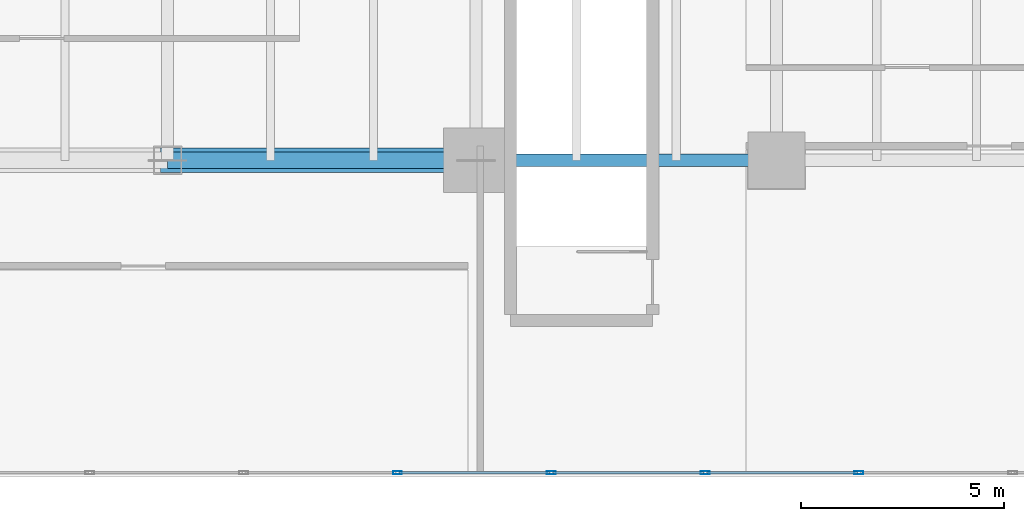
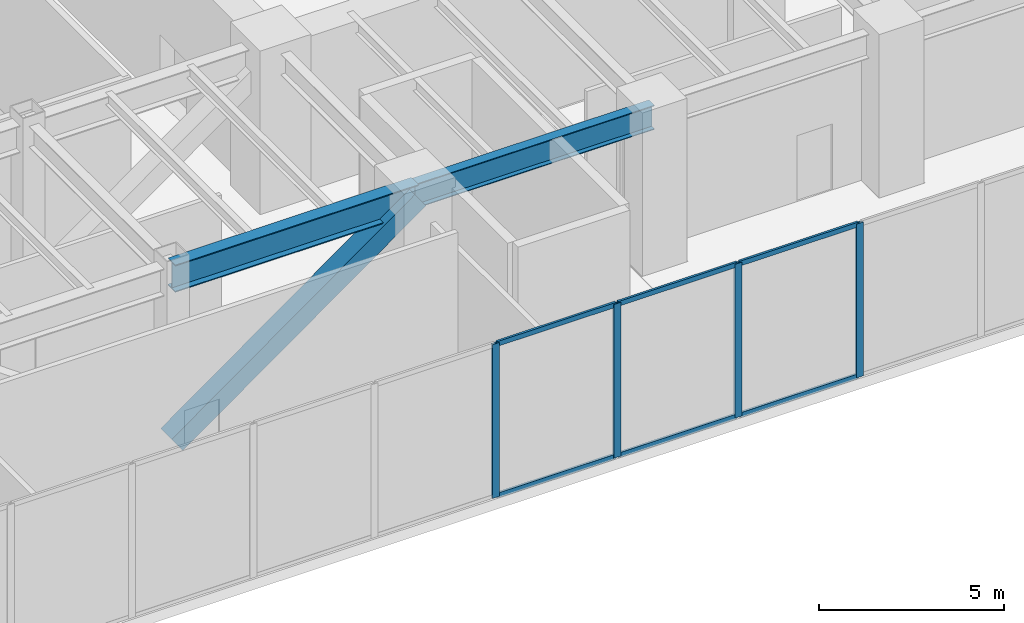
# One storey, part 10 of 35: 11 members, 2 beams, 1 element without a shape of its own.
"""IFC4 building model written with IfcOpenShell, lengths in metres."""

from ifc_helpers import new_model, si_unit, direction, frame, origin, origin_2d, place, context, subcontext, project, spatial, hollow_rectangle, i_section, extrude, source, transform, mapped, material, layer, layer_set, material_profile, profile_set, type_object, type_shapes, element, aggregate, save


model = new_model("IFC4")

# Units and contexts
model_context = context("Model", 3, precision=1e-05, world=origin(), true_north=direction((0.0, 1.0)))
body_context = subcontext(model_context, "Body", "Model", "MODEL_VIEW")
ifc_project = project(units=[si_unit("LENGTHUNIT", "METRE"), si_unit("AREAUNIT", "SQUARE_METRE"), si_unit("VOLUMEUNIT", "CUBIC_METRE"), si_unit("PLANEANGLEUNIT", "RADIAN"), si_unit("MASSUNIT", "GRAM", prefix="KILO")], contexts=[model_context])

# Site, building, storey
site_placement = place(None, origin())
site = spatial("IfcSite", under=ifc_project, at=site_placement, CompositionType="ELEMENT")
building_placement = place(site_placement, origin())
building = spatial("IfcBuilding", under=site, at=building_placement, Name="Haelvirn Gate Laboratories", CompositionType="ELEMENT")
storey_placement = place(building_placement, frame((0.0, 0.0, 19.800048828125)))
storey = spatial("IfcBuildingStorey", under=building, at=storey_placement, Name="L05", CompositionType="ELEMENT", Elevation=19.800048828125)

# Beams
ifc_material_1 = material(Name="Steel SM420", Category="steel")
ifc_material_profile_1 = material_profile(ifc_material_1, i_section(OverallWidth=0.300048828125, OverallDepth=0.800048828125, WebThickness=0.013916015625, FlangeThickness=0.02587890625, at=origin_2d()), Name="H-800x300x14x26")
ifc_profile_set_1 = profile_set([ifc_material_profile_1], Name="Steel SM420")
beam_type_1 = type_object("IfcBeamType", Name="BM-G-800", PredefinedType="BEAM", material=ifc_profile_set_1)
shared_shape_1 = source(origin(), body_context, "Body", "SweptSolid", [
    extrude(i_section(OverallWidth=0.300048828125, OverallDepth=0.800048828125, WebThickness=0.013916015625, FlangeThickness=0.02587890625, at=origin_2d()), origin(), (0.0, 0.0, 1.0), 7.39990234375),
])
type_shapes(beam_type_1, [shared_shape_1])
beam_1_placement = place(storey_placement, frame((52.60009765625, 7.0, 4.679931640625), z_axis=(1.0, 0.0, 0.0), x_axis=(0.0, 1.0, 0.0)))
element("IfcBeam", 1, at=beam_1_placement, inside=storey, type_object=beam_type_1, Name="L05 Primary Girder Y7.0 (52.6-60.0)", PredefinedType="BEAM", context=body_context, shape_type="MappedRepresentation", body=[
    mapped(shared_shape_1, transform((0.0, 0.0, 0.0), scale=1.0)),
])
ifc_material_profile_2 = material_profile(ifc_material_1, i_section(OverallWidth=0.39990234375, OverallDepth=0.89990234375, WebThickness=0.01904296875, FlangeThickness=0.031982421875, at=origin_2d()), Name="H-900x400x19x32")
ifc_profile_set_2 = profile_set([ifc_material_profile_2], Name="Steel SM420")
beam_type_2 = type_object("IfcBeamType", Name="BM-TG-900", PredefinedType="BEAM", material=ifc_profile_set_2)
shared_shape_2 = source(origin(), body_context, "Body", "SweptSolid", [
    extrude(i_section(OverallWidth=0.39990234375, OverallDepth=0.89990234375, WebThickness=0.01904296875, FlangeThickness=0.031982421875, at=origin_2d()), origin(), (0.0, 0.0, 1.0), 7.60009765625),
])
type_shapes(beam_type_2, [shared_shape_2])
beam_2_placement = place(storey_placement, frame((45.0, 7.0, 4.6298828125), z_axis=(1.0, 0.0, 0.0), x_axis=(0.0, 1.0, 0.0)))
element("IfcBeam", 2, at=beam_2_placement, inside=storey, type_object=beam_type_2, Name="L05 Primary Girder Y7.0 (45.0-52.6)", PredefinedType="BEAM", context=body_context, shape_type="MappedRepresentation", body=[
    mapped(shared_shape_2, transform((0.0, 0.0, 0.0), scale=1.0)),
])

# Member
ifc_material_profile_3 = material_profile(ifc_material_1, hollow_rectangle(XDim=0.60009765625, YDim=0.60009765625, WallThickness=0.028076171875, at=origin_2d()), Name="BOX-600x600x28")
ifc_profile_set_3 = profile_set([ifc_material_profile_3], Name="Steel SM420")
member_type_1 = type_object("IfcMemberType", Name="MEM-TRUSS-DIAG", PredefinedType="BRACE", material=ifc_profile_set_3)
shared_shape_3 = source(origin(), body_context, "Body", "SweptSolid", [
    extrude(hollow_rectangle(XDim=0.60009765625, YDim=0.60009765625, WallThickness=0.028076171875, at=origin_2d()), origin(), (0.0, 0.0, 1.0), 9.340576171875),
])
type_shapes(member_type_1, [shared_shape_3])
member_1_placement = place(storey_placement, frame((45.0, 7.0, -0.800048828125), z_axis=(0.813668121692, 0.0, 0.581329672167), x_axis=(0.0, 1.0, 0.0)))
element("IfcMember", 3, at=member_1_placement, inside=storey, type_object=member_type_1, Name="L05 Portal Transfer Truss Diagonal Y7.0-4", PredefinedType="BRACE", context=body_context, shape_type="MappedRepresentation", body=[
    mapped(shared_shape_3, transform((0.0, 0.0, 0.0), scale=1.0)),
])

# Curtain wall, members
ifc_material_2 = material(Name="Anodised bronze unitised aluminium & triple low-E glass", Category="aluminium")
ifc_layer = layer(ifc_material_2, 0.18798828125, Name="CW-SYS-1")
ifc_layer_set = layer_set([ifc_layer], Name="Anodised bronze unitised aluminium & triple low-E glass")
curtain_wall_type = type_object("IfcCurtainWallType", Name="CW-SYS-1", PredefinedType="NOTDEFINED", material=ifc_layer_set)
curtain_wall_placement = place(storey_placement, origin())
curtain_wall = element("IfcCurtainWall", 4, at=curtain_wall_placement, inside=storey, type_object=curtain_wall_type, Name="L05 Unitised Curtain Wall CW-L05-P0-E00-1", PredefinedType="NOTDEFINED")
ifc_material_3 = material(Name="Extruded aluminium 6063-T6 (anodised bronze)", Category="aluminium")
ifc_material_profile_4 = material_profile(ifc_material_3, hollow_rectangle(XDim=0.080078125, YDim=0.219970703125, WallThickness=0.006103515625, at=origin_2d()), Name="CWM-220x80x6")
ifc_profile_set_4 = profile_set([ifc_material_profile_4], Name="Extruded aluminium 6063-T6 (anodised bronze)")
member_type_2 = type_object("IfcMemberType", Name="CWM-T220", PredefinedType="MULLION", material=ifc_profile_set_4)
shared_shape_4 = source(origin(), body_context, "Body", "SweptSolid", [
    extrude(hollow_rectangle(XDim=0.080078125, YDim=0.219970703125, WallThickness=0.006103515625, at=origin_2d()), origin(), (0.0, 0.0, 1.0), 5.079833984375),
])
type_shapes(member_type_2, [shared_shape_4])
member_2_placement = place(storey_placement, frame((50.6630859375, -0.699951171875, 0.0), z_axis=(0.0, 0.0, 1.0), x_axis=(0.0, 1.0, 0.0)))
member_2 = element("IfcMember", 5, at=member_2_placement, type_object=member_type_2, Name="CW1 mullion 14", PredefinedType="MULLION", context=body_context, shape_type="MappedRepresentation", body=[
    mapped(shared_shape_4, transform((0.0, 0.0, 0.0), scale=1.0)),
])
member_3_placement = place(storey_placement, frame((54.45263671875, -0.699951171875, 0.0), z_axis=(0.0, 0.0, 1.0), x_axis=(0.0, 1.0, 0.0)))
member_3 = element("IfcMember", 6, at=member_3_placement, type_object=member_type_2, Name="CW1 mullion 15", PredefinedType="MULLION", context=body_context, shape_type="MappedRepresentation", body=[
    mapped(shared_shape_4, transform((0.0, 0.0, 0.0), scale=1.0)),
])
member_4_placement = place(storey_placement, frame((58.2421875, -0.699951171875, 0.0), z_axis=(0.0, 0.0, 1.0), x_axis=(0.0, 1.0, 0.0)))
member_4 = element("IfcMember", 7, at=member_4_placement, type_object=member_type_2, Name="CW1 mullion 16", PredefinedType="MULLION", context=body_context, shape_type="MappedRepresentation", body=[
    mapped(shared_shape_4, transform((0.0, 0.0, 0.0), scale=1.0)),
])
member_5_placement = place(storey_placement, frame((62.031494140625, -0.699951171875, 0.0), z_axis=(0.0, 0.0, 1.0), x_axis=(0.0, 1.0, 0.0)))
member_5 = element("IfcMember", 8, at=member_5_placement, type_object=member_type_2, Name="CW1 mullion 17", PredefinedType="MULLION", context=body_context, shape_type="MappedRepresentation", body=[
    mapped(shared_shape_4, transform((0.0, 0.0, 0.0), scale=1.0)),
])
ifc_material_profile_5 = material_profile(ifc_material_3, hollow_rectangle(XDim=0.070068359375, YDim=0.159912109375, WallThickness=0.0048828125, at=origin_2d()), Name="CWT-160x70x5")
ifc_profile_set_5 = profile_set([ifc_material_profile_5], Name="Extruded aluminium 6063-T6 (anodised bronze)")
member_type_3 = type_object("IfcMemberType", Name="CWT-T160", PredefinedType="USERDEFINED", material=ifc_profile_set_5)
shared_shape_5 = source(origin(), body_context, "Body", "SweptSolid", [
    extrude(hollow_rectangle(XDim=0.070068359375, YDim=0.159912109375, WallThickness=0.0048828125, at=origin_2d()), origin(), (0.0, 0.0, 1.0), 3.70947265625),
])
type_shapes(member_type_3, [shared_shape_5])
member_6_placement = place(storey_placement, frame((50.703125, -0.699951171875, 0.034912109375), z_axis=(1.0, 0.0, 0.0), x_axis=(0.0, 1.0, 0.0)))
member_6 = element("IfcMember", 9, at=member_6_placement, type_object=member_type_3, Name="CW1 transom 14.1", ObjectType="TRANSOM", PredefinedType="USERDEFINED", context=body_context, shape_type="MappedRepresentation", body=[
    mapped(shared_shape_5, transform((0.0, 0.0, 0.0), scale=1.0)),
])
member_7_placement = place(storey_placement, frame((50.703125, -0.699951171875, 5.044921875), z_axis=(1.0, 0.0, 0.0), x_axis=(0.0, 1.0, 0.0)))
member_7 = element("IfcMember", 10, at=member_7_placement, type_object=member_type_3, Name="CW1 transom 14.2", ObjectType="TRANSOM", PredefinedType="USERDEFINED", context=body_context, shape_type="MappedRepresentation", body=[
    mapped(shared_shape_5, transform((0.0, 0.0, 0.0), scale=1.0)),
])
member_8_placement = place(storey_placement, frame((54.49267578125, -0.699951171875, 0.034912109375), z_axis=(1.0, 0.0, 0.0), x_axis=(0.0, 1.0, 0.0)))
member_8 = element("IfcMember", 11, at=member_8_placement, type_object=member_type_3, Name="CW1 transom 15.1", ObjectType="TRANSOM", PredefinedType="USERDEFINED", context=body_context, shape_type="MappedRepresentation", body=[
    mapped(shared_shape_5, transform((0.0, 0.0, 0.0), scale=1.0)),
])
member_9_placement = place(storey_placement, frame((54.49267578125, -0.699951171875, 5.044921875), z_axis=(1.0, 0.0, 0.0), x_axis=(0.0, 1.0, 0.0)))
member_9 = element("IfcMember", 12, at=member_9_placement, type_object=member_type_3, Name="CW1 transom 15.2", ObjectType="TRANSOM", PredefinedType="USERDEFINED", context=body_context, shape_type="MappedRepresentation", body=[
    mapped(shared_shape_5, transform((0.0, 0.0, 0.0), scale=1.0)),
])
member_10_placement = place(storey_placement, frame((58.2822265625, -0.699951171875, 0.034912109375), z_axis=(1.0, 0.0, 0.0), x_axis=(0.0, 1.0, 0.0)))
member_10 = element("IfcMember", 13, at=member_10_placement, type_object=member_type_3, Name="CW1 transom 16.1", ObjectType="TRANSOM", PredefinedType="USERDEFINED", context=body_context, shape_type="MappedRepresentation", body=[
    mapped(shared_shape_5, transform((0.0, 0.0, 0.0), scale=1.0)),
])
member_11_placement = place(storey_placement, frame((58.2822265625, -0.699951171875, 5.044921875), z_axis=(1.0, 0.0, 0.0), x_axis=(0.0, 1.0, 0.0)))
member_11 = element("IfcMember", 14, at=member_11_placement, type_object=member_type_3, Name="CW1 transom 16.2", ObjectType="TRANSOM", PredefinedType="USERDEFINED", context=body_context, shape_type="MappedRepresentation", body=[
    mapped(shared_shape_5, transform((0.0, 0.0, 0.0), scale=1.0)),
])
aggregate(curtain_wall, [member_2, member_3, member_4, member_5, member_6, member_7, member_8, member_9, member_10, member_11])

save(model, "model.ifc")
